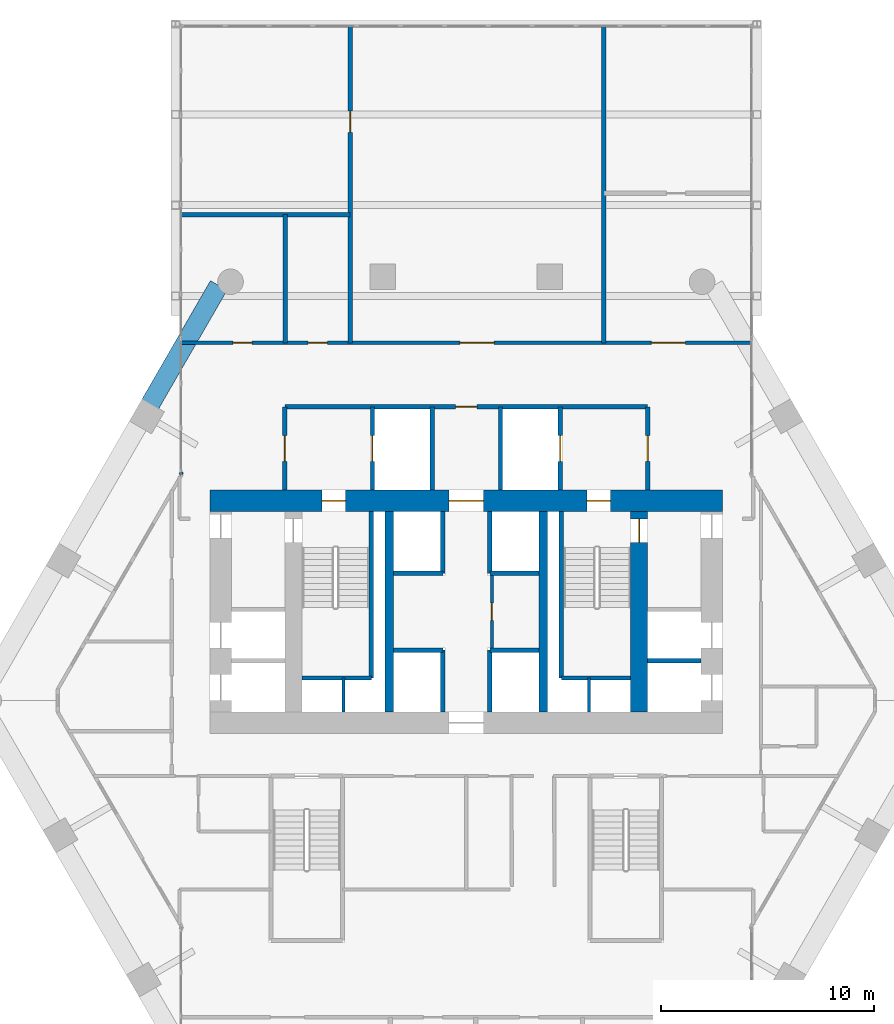
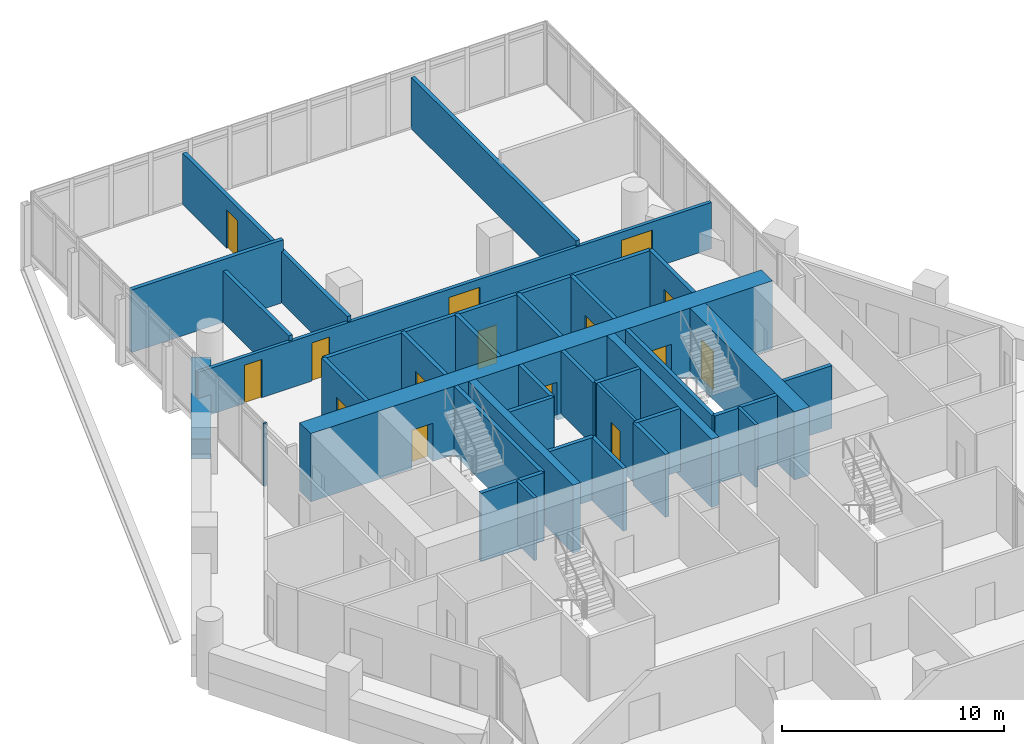
# One storey, part 32 of 37: 34 walls, 15 doors, 15 openings.
"""IFC4 building model written with IfcOpenShell, lengths in metres."""

from ifc_helpers import new_model, si_unit, direction, frame, frame_2d, origin, place, context, subcontext, project, spatial, rectangle, extrude, material, layer, layer_set, type_object, element, fill, save


model = new_model("IFC4")

# Units and contexts
model_context = context("Model", 3, precision=1e-05, world=origin(), true_north=direction((0.0, 1.0)))
body_context = subcontext(model_context, "Body", "Model", "MODEL_VIEW")
ifc_project = project(units=[si_unit("LENGTHUNIT", "METRE"), si_unit("AREAUNIT", "SQUARE_METRE"), si_unit("VOLUMEUNIT", "CUBIC_METRE"), si_unit("PLANEANGLEUNIT", "RADIAN"), si_unit("MASSUNIT", "GRAM", prefix="KILO")], contexts=[model_context])

# Site, building, storey
site_placement = place(None, origin())
site = spatial("IfcSite", under=ifc_project, at=site_placement, CompositionType="ELEMENT")
building_placement = place(site_placement, origin())
building = spatial("IfcBuilding", under=site, at=building_placement, Name="Ostrander Bayou Hotel Tower", CompositionType="ELEMENT")
storey_placement = place(building_placement, frame((0.0, 0.0, 93.0)))
storey = spatial("IfcBuildingStorey", under=building, at=storey_placement, Name="L23", CompositionType="ELEMENT", Elevation=93.0)

# Wall, openings, doors
ifc_material_1 = material(Name="Concrete f'c 70 MPa", Category="concrete")
ifc_layer_1 = layer(ifc_material_1, 1.0)
ifc_layer_set_1 = layer_set([ifc_layer_1], Name="CW4 core wall 1000 mm f'c 70 MPa")
wall_type_1 = type_object("IfcWallType", Name="CW4 core wall 1000 mm f'c 70 MPa", PredefinedType="SHEAR", material=ifc_layer_set_1)
wall_1_placement = place(storey_placement, frame((-12.0, 9.199951171875, -0.300048828125), z_axis=(0.0, 0.0, 1.0), x_axis=(1.0, 0.0, 0.0)))
wall_1 = element("IfcWall", 1, at=wall_1_placement, inside=storey, type_object=wall_type_1, Name="CW4 L23 N", PredefinedType="SHEAR", context=body_context, shape_type="SweptSolid", body=[
    extrude(rectangle(XDim=24.0, YDim=1.0, at=frame_2d((12.0, 0.0))), origin(), (0.0, 0.0, 1.0), 3.75),
])
opening_1_placement = place(wall_1_placement, frame((11.199951171875, 0.0, 0.0)))
opening_1 = element("IfcOpeningElement", 2, at=opening_1_placement, cuts=wall_1, Name="Opening T23-002", PredefinedType="OPENING", context=body_context, shape_type="SweptSolid", body=[
    extrude(rectangle(XDim=1.60009765625, YDim=2.10009765625, at=frame_2d((0.800048828125, 1.050048828125))), frame((0.0, 0.5, 0.0), z_axis=(0.0, -1.0, 0.0), x_axis=(1.0, 0.0, 0.0)), (0.0, 0.0, 1.0), 1.0),
])
opening_2_placement = place(wall_1_placement, frame((5.25, 0.0, 0.0)))
opening_2 = element("IfcOpeningElement", 3, at=opening_2_placement, cuts=wall_1, Name="Opening T23-003", PredefinedType="OPENING", context=body_context, shape_type="SweptSolid", body=[
    extrude(rectangle(XDim=1.10009765625, YDim=2.10009765625, at=frame_2d((0.550048828125, 1.050048828125))), frame((0.0, 0.5, 0.0), z_axis=(0.0, -1.0, 0.0), x_axis=(1.0, 0.0, 0.0)), (0.0, 0.0, 1.0), 1.0),
])
opening_3_placement = place(wall_1_placement, frame((17.64990234375, 0.0, 0.0)))
opening_3 = element("IfcOpeningElement", 4, at=opening_3_placement, cuts=wall_1, Name="Opening T23-005", PredefinedType="OPENING", context=body_context, shape_type="SweptSolid", body=[
    extrude(rectangle(XDim=1.10009765625, YDim=2.10009765625, at=frame_2d((0.550048828125, 1.050048828125))), frame((0.0, 0.5, 0.0), z_axis=(0.0, -1.0, 0.0), x_axis=(1.0, 0.0, 0.0)), (0.0, 0.0, 1.0), 1.0),
])
ifc_material_2 = material(Name="Timber door leaf", Category="wood")
door_type_1 = type_object("IfcDoorType", Name="D13 double door 1600 x 2100 mm, 1 hour", OperationType="SINGLE_SWING_LEFT", PredefinedType="DOOR", material=ifc_material_2)
door_1_placement = place(opening_1_placement, origin())
door_1 = element("IfcDoor", 5, at=door_1_placement, inside=storey, type_object=door_type_1, Name="dr:L23:002", OperationType="DOUBLE_DOOR_SINGLE_SWING", OverallHeight=2.10009765625, OverallWidth=1.60009765625, PredefinedType="DOOR", context=body_context, shape_type="SweptSolid", body=[
    extrude(rectangle(XDim=1.60009765625, YDim=2.10009765625, at=frame_2d((0.800048828125, 1.050048828125))), frame((0.0, 0.02490234375, 0.0), z_axis=(0.0, -1.0, 0.0), x_axis=(1.0, 0.0, 0.0)), (0.0, 0.0, 1.0), 0.050048828125),
])
fill(opening_1, door_1)
ifc_material_3 = material(Name="Timber door leaf", Category="wood")
door_type_2 = type_object("IfcDoorType", Name="D5 stair door 1100 x 2100 mm, 90 minute", OperationType="SINGLE_SWING_LEFT", PredefinedType="DOOR", material=ifc_material_3)
door_2_placement = place(opening_2_placement, origin())
door_2 = element("IfcDoor", 6, at=door_2_placement, inside=storey, type_object=door_type_2, Name="dr:L23:003", OperationType="SINGLE_SWING_LEFT", OverallHeight=2.10009765625, OverallWidth=1.10009765625, PredefinedType="DOOR", context=body_context, shape_type="SweptSolid", body=[
    extrude(rectangle(XDim=1.10009765625, YDim=2.10009765625, at=frame_2d((0.550048828125, 1.050048828125))), frame((0.0, 0.02490234375, 0.0), z_axis=(0.0, -1.0, 0.0), x_axis=(1.0, 0.0, 0.0)), (0.0, 0.0, 1.0), 0.050048828125),
])
fill(opening_2, door_2)
door_3_placement = place(opening_3_placement, origin())
door_3 = element("IfcDoor", 7, at=door_3_placement, inside=storey, type_object=door_type_2, Name="dr:L23:005", OperationType="SINGLE_SWING_RIGHT", OverallHeight=2.10009765625, OverallWidth=1.10009765625, PredefinedType="DOOR", context=body_context, shape_type="SweptSolid", body=[
    extrude(rectangle(XDim=1.10009765625, YDim=2.10009765625, at=frame_2d((0.550048828125, 1.050048828125))), frame((0.0, 0.02490234375, 0.0), z_axis=(0.0, -1.0, 0.0), x_axis=(1.0, 0.0, 0.0)), (0.0, 0.0, 1.0), 0.050048828125),
])
fill(opening_3, door_3)

# Wall, opening, door
ifc_material_4 = material(Name="Concrete f'c 70 MPa", Category="concrete")
ifc_layer_2 = layer(ifc_material_4, 0.800048828125)
ifc_layer_set_2 = layer_set([ifc_layer_2], Name="CW5 core spine wall 800 mm f'c 70 MPa")
wall_type_2 = type_object("IfcWallType", Name="CW5 core spine wall 800 mm f'c 70 MPa", PredefinedType="SHEAR", material=ifc_layer_set_2)
wall_2_placement = place(storey_placement, frame((8.10009765625, -0.699951171875, -0.300048828125), z_axis=(0.0, 0.0, 1.0), x_axis=(0.0, 1.0, 0.0)))
wall_2 = element("IfcWall", 8, at=wall_2_placement, inside=storey, type_object=wall_type_2, Name="CW5 L23 E", PredefinedType="SHEAR", context=body_context, shape_type="SweptSolid", body=[
    extrude(rectangle(XDim=9.39990234375, YDim=0.800048828125, at=frame_2d((4.699951171875, 0.0))), origin(), (0.0, 0.0, 1.0), 3.75),
])
opening_4_placement = place(wall_2_placement, frame((7.949951171875, 0.0, 0.0)))
opening_4 = element("IfcOpeningElement", 9, at=opening_4_placement, cuts=wall_2, Name="Opening T23-006", PredefinedType="OPENING", context=body_context, shape_type="SweptSolid", body=[
    extrude(rectangle(XDim=1.10009765625, YDim=2.10009765625, at=frame_2d((0.550048828125, 1.050048828125))), frame((0.0, 0.39990234375, 0.0), z_axis=(0.0, -1.0, 0.0), x_axis=(1.0, 0.0, 0.0)), (0.0, 0.0, 1.0), 0.800048828125),
])
door_4_placement = place(opening_4_placement, origin())
door_4 = element("IfcDoor", 10, at=door_4_placement, inside=storey, type_object=door_type_2, Name="dr:L23:006", OperationType="SINGLE_SWING_LEFT", OverallHeight=2.10009765625, OverallWidth=1.10009765625, PredefinedType="DOOR", context=body_context, shape_type="SweptSolid", body=[
    extrude(rectangle(XDim=1.10009765625, YDim=2.10009765625, at=frame_2d((0.550048828125, 1.050048828125))), frame((0.0, 0.02490234375, 0.0), z_axis=(0.0, -1.0, 0.0), x_axis=(1.0, 0.0, 0.0)), (0.0, 0.0, 1.0), 0.050048828125),
])
fill(opening_4, door_4)

# Walls
ifc_material_5 = material(Name="Concrete f'c 70 MPa", Category="concrete")
ifc_layer_3 = layer(ifc_material_5, 0.39990234375)
ifc_layer_set_3 = layer_set([ifc_layer_3], Name="CW6 core bank wall 400 mm f'c 70 MPa")
wall_type_3 = type_object("IfcWallType", Name="CW6 core bank wall 400 mm f'c 70 MPa", PredefinedType="SHEAR", material=ifc_layer_set_3)
for number, where, z_axis, x_axis, name in (
    (11, (-3.60009765625, -0.699951171875, -0.300048828125), (0.0, 0.0, 1.0), (0.0, 1.0, 0.0), "CW6 L23 CW"),
    (12, (3.60009765625, -0.699951171875, -0.300048828125), (0.0, 0.0, 1.0), (0.0, 1.0, 0.0), "CW6 L23 CE"),
):
    element("IfcWall", number, at=place(storey_placement, frame(where, z_axis=z_axis, x_axis=x_axis)), inside=storey, type_object=wall_type_3, Name=name, PredefinedType="SHEAR", context=body_context, shape_type="SweptSolid", body=[
        extrude(rectangle(XDim=9.39990234375, YDim=0.39990234375, at=frame_2d((4.699951171875, 0.0))), origin(), (0.0, 0.0, 1.0), 3.75),
    ])
ifc_material_6 = material(Name="Aluminium framed insulated wall", Category="aluminium")
ifc_layer_4 = layer(ifc_material_6, 0.14990234375)
ifc_layer_set_4 = layer_set([ifc_layer_4], Name="GW1 glass-line wall 150 mm")
wall_type_4 = type_object("IfcWallType", Name="GW1 glass-line wall 150 mm", PredefinedType="SOLIDWALL", material=ifc_layer_set_4)
wall_3_placement = place(storey_placement, frame((-13.333984375, 10.427490234375, 0.0), z_axis=(0.0, 0.0, 1.0), x_axis=(-0.337751931921, 0.941235163221, 0.0)))
element("IfcWall", 13, at=wall_3_placement, inside=storey, type_object=wall_type_4, Name="GW1 L23 bar joint 1", PredefinedType="SOLIDWALL", context=body_context, shape_type="SweptSolid", body=[
    extrude(rectangle(XDim=0.098388671875, YDim=0.14990234375, at=frame_2d((0.04931640625, 0.0))), origin(), (0.0, 0.0, 1.0), 3.449951171875),
])
ifc_material_7 = material(Name="Concrete f'c 40 MPa", Category="concrete")
ifc_layer_5 = layer(ifc_material_7, 0.89990234375)
ifc_layer_set_5 = layer_set([ifc_layer_5], Name="PA1 stone-faced parapet 900 mm")
wall_type_5 = type_object("IfcWallType", Name="PA1 stone-faced parapet 900 mm", PredefinedType="PARAPET", material=ifc_layer_set_5)
wall_4_placement = place(storey_placement, frame((-11.5966796875, 19.286376953125, 0.0), z_axis=(0.0, 0.0, 1.0), x_axis=(-0.50002823779, -0.866009100075, 0.0)))
element("IfcWall", 14, at=wall_4_placement, inside=storey, type_object=wall_type_5, Name="PA1 L23 NW-1", PredefinedType="PARAPET", context=body_context, shape_type="SweptSolid", body=[
    extrude(rectangle(XDim=6.427490234375, YDim=0.89990234375, at=frame_2d((3.2138671875, 0.0))), origin(), (0.0, 0.0, 1.0), 1.10009765625),
])
ifc_material_8 = material(Name="Gypsum board partition", Category="finish")
ifc_layer_6 = layer(ifc_material_8, 0.199951171875)
ifc_layer_set_6 = layer_set([ifc_layer_6], Name="PT3 demising wall 200 mm acoustic double stud, 1 hour")
wall_type_6 = type_object("IfcWallType", Name="PT3 demising wall 200 mm acoustic double stud, 1 hour", PredefinedType="PARTITIONING", material=ifc_layer_set_6)
wall_5_placement = place(storey_placement, frame((-13.34814453125, 22.60009765625, 0.0), z_axis=(0.0, 0.0, 1.0), x_axis=(1.0, 0.0, 0.0)))
element("IfcWall", 15, at=wall_5_placement, inside=storey, type_object=wall_type_6, Name="sw:L23:503", PredefinedType="PARTITIONING", context=body_context, shape_type="SweptSolid", body=[
    extrude(rectangle(XDim=7.906005859375, YDim=0.199951171875, at=frame_2d((3.953125, 0.0))), origin(), (0.0, 0.0, 1.0), 3.449951171875),
])
wall_6_placement = place(storey_placement, frame((-8.48193359375, 16.60009765625, 0.0), z_axis=(0.0, 0.0, 1.0), x_axis=(0.0, 1.0, 0.0)))
element("IfcWall", 16, at=wall_6_placement, inside=storey, type_object=wall_type_6, Name="sw:L23:505", PredefinedType="PARTITIONING", context=body_context, shape_type="SweptSolid", body=[
    extrude(rectangle(XDim=6.0, YDim=0.199951171875, at=frame_2d((3.0, 0.0))), origin(), (0.0, 0.0, 1.0), 2.828125),
])

# Wall, opening, door
wall_7_placement = place(storey_placement, frame((-5.44189453125, 16.60009765625, 0.0), z_axis=(0.0, 0.0, 1.0), x_axis=(0.0, 1.0, 0.0)))
wall_7 = element("IfcWall", 17, at=wall_7_placement, inside=storey, type_object=wall_type_6, Name="sw:L23:506", PredefinedType="PARTITIONING", context=body_context, shape_type="SweptSolid", body=[
    extrude(rectangle(XDim=14.826416015625, YDim=0.199951171875, at=frame_2d((7.4130859375, 0.0))), origin(), (0.0, 0.0, 1.0), 2.828125),
])
opening_5_placement = place(wall_7_placement, frame((9.857666015625, 0.0, 0.0)))
opening_5 = element("IfcOpeningElement", 18, at=opening_5_placement, cuts=wall_7, Name="Opening T23-1207", PredefinedType="OPENING", context=body_context, shape_type="SweptSolid", body=[
    extrude(rectangle(XDim=1.0, YDim=2.10009765625, at=frame_2d((0.5, 1.050048828125))), frame((0.0, 0.10009765625, 0.0), z_axis=(0.0, -1.0, 0.0), x_axis=(1.0, 0.0, 0.0)), (0.0, 0.0, 1.0), 0.199951171875),
])
ifc_material_9 = material(Name="Timber door leaf", Category="wood")
door_type_3 = type_object("IfcDoorType", Name="D9 service door 1000 x 2100 mm, 30 minute", OperationType="SINGLE_SWING_LEFT", PredefinedType="DOOR", material=ifc_material_9)
door_5_placement = place(opening_5_placement, origin())
door_5 = element("IfcDoor", 19, at=door_5_placement, inside=storey, type_object=door_type_3, Name="dr:L23:1207", OperationType="SINGLE_SWING_LEFT", OverallHeight=2.10009765625, OverallWidth=1.0, PredefinedType="DOOR", context=body_context, shape_type="SweptSolid", body=[
    extrude(rectangle(XDim=1.0, YDim=2.10009765625, at=frame_2d((0.5, 1.050048828125))), frame((0.0, 0.02490234375, 0.0), z_axis=(0.0, -1.0, 0.0), x_axis=(1.0, 0.0, 0.0)), (0.0, 0.0, 1.0), 0.050048828125),
])
fill(opening_5, door_5)

# Wall
wall_8_placement = place(storey_placement, frame((6.44189453125, 16.60009765625, 0.0), z_axis=(0.0, 0.0, 1.0), x_axis=(0.0, 1.0, 0.0)))
element("IfcWall", 20, at=wall_8_placement, inside=storey, type_object=wall_type_6, Name="sw:L23:510", PredefinedType="PARTITIONING", context=body_context, shape_type="SweptSolid", body=[
    extrude(rectangle(XDim=14.826416015625, YDim=0.199951171875, at=frame_2d((7.4130859375, 0.0))), origin(), (0.0, 0.0, 1.0), 2.828125),
])

# Wall, openings, doors
ifc_material_10 = material(Name="Gypsum board partition", Category="finish")
ifc_layer_7 = layer(ifc_material_10, 0.175048828125)
ifc_layer_set_7 = layer_set([ifc_layer_7], Name="PT4 corridor wall 175 mm, 1 hour")
wall_type_7 = type_object("IfcWallType", Name="PT4 corridor wall 175 mm, 1 hour", PredefinedType="PARTITIONING", material=ifc_layer_set_7)
wall_9_placement = place(storey_placement, frame((-13.34814453125, 16.60009765625, 0.0), z_axis=(0.0, 0.0, 1.0), x_axis=(1.0, 0.0, 0.0)))
wall_9 = element("IfcWall", 21, at=wall_9_placement, inside=storey, type_object=wall_type_7, Name="sw:L23:501", PredefinedType="PARTITIONING", context=body_context, shape_type="SweptSolid", body=[
    extrude(rectangle(XDim=26.6962890625, YDim=0.175048828125, at=frame_2d((13.34814453125, 0.0))), origin(), (0.0, 0.0, 1.0), 2.550048828125),
])
opening_6_placement = place(wall_9_placement, frame((22.01416015625, 0.0, 0.0)))
opening_6 = element("IfcOpeningElement", 22, at=opening_6_placement, cuts=wall_9, Name="Opening T23-1205", PredefinedType="OPENING", context=body_context, shape_type="SweptSolid", body=[
    extrude(rectangle(XDim=1.60009765625, YDim=2.10009765625, at=frame_2d((0.800048828125, 1.050048828125))), frame((0.0, 0.08740234375, 0.0), z_axis=(0.0, -1.0, 0.0), x_axis=(1.0, 0.0, 0.0)), (0.0, 0.0, 1.0), 0.175048828125),
])
opening_7_placement = place(wall_9_placement, frame((2.412353515625, 0.0, 0.0)))
opening_7 = element("IfcOpeningElement", 23, at=opening_7_placement, cuts=wall_9, Name="Opening T23-1208", PredefinedType="OPENING", context=body_context, shape_type="SweptSolid", body=[
    extrude(rectangle(XDim=0.89990234375, YDim=2.10009765625, at=frame_2d((0.449951171875, 1.050048828125))), frame((0.0, 0.08740234375, 0.0), z_axis=(0.0, -1.0, 0.0), x_axis=(1.0, 0.0, 0.0)), (0.0, 0.0, 1.0), 0.175048828125),
])
opening_8_placement = place(wall_9_placement, frame((5.93603515625, 0.0, 0.0)))
opening_8 = element("IfcOpeningElement", 24, at=opening_8_placement, cuts=wall_9, Name="Opening T23-1209", PredefinedType="OPENING", context=body_context, shape_type="SweptSolid", body=[
    extrude(rectangle(XDim=0.89990234375, YDim=2.10009765625, at=frame_2d((0.449951171875, 1.050048828125))), frame((0.0, 0.08740234375, 0.0), z_axis=(0.0, -1.0, 0.0), x_axis=(1.0, 0.0, 0.0)), (0.0, 0.0, 1.0), 0.175048828125),
])
opening_9_placement = place(wall_9_placement, frame((13.048095703125, 0.0, 0.0)))
opening_9 = element("IfcOpeningElement", 25, at=opening_9_placement, cuts=wall_9, Name="Opening T23-1210", PredefinedType="OPENING", context=body_context, shape_type="SweptSolid", body=[
    extrude(rectangle(XDim=1.60009765625, YDim=2.10009765625, at=frame_2d((0.800048828125, 1.050048828125))), frame((0.0, 0.08740234375, 0.0), z_axis=(0.0, -1.0, 0.0), x_axis=(1.0, 0.0, 0.0)), (0.0, 0.0, 1.0), 0.175048828125),
])
door_6_placement = place(opening_6_placement, origin())
door_6 = element("IfcDoor", 26, at=door_6_placement, inside=storey, type_object=door_type_1, Name="dr:L23:1205", OperationType="DOUBLE_DOOR_SINGLE_SWING", OverallHeight=2.10009765625, OverallWidth=1.60009765625, PredefinedType="DOOR", context=body_context, shape_type="SweptSolid", body=[
    extrude(rectangle(XDim=1.60009765625, YDim=2.10009765625, at=frame_2d((0.800048828125, 1.050048828125))), frame((0.0, 0.02490234375, 0.0), z_axis=(0.0, -1.0, 0.0), x_axis=(1.0, 0.0, 0.0)), (0.0, 0.0, 1.0), 0.050048828125),
])
fill(opening_6, door_6)
door_7_placement = place(opening_9_placement, origin())
door_7 = element("IfcDoor", 27, at=door_7_placement, inside=storey, type_object=door_type_1, Name="dr:L23:1210", OperationType="DOUBLE_DOOR_SINGLE_SWING", OverallHeight=2.10009765625, OverallWidth=1.60009765625, PredefinedType="DOOR", context=body_context, shape_type="SweptSolid", body=[
    extrude(rectangle(XDim=1.60009765625, YDim=2.10009765625, at=frame_2d((0.800048828125, 1.050048828125))), frame((0.0, 0.02490234375, 0.0), z_axis=(0.0, -1.0, 0.0), x_axis=(1.0, 0.0, 0.0)), (0.0, 0.0, 1.0), 0.050048828125),
])
fill(opening_9, door_7)
ifc_material_11 = material(Name="Timber door leaf", Category="wood")
door_type_4 = type_object("IfcDoorType", Name="D8 room door 900 x 2100 mm", OperationType="SINGLE_SWING_LEFT", PredefinedType="DOOR", material=ifc_material_11)
door_8_placement = place(opening_7_placement, origin())
door_8 = element("IfcDoor", 28, at=door_8_placement, inside=storey, type_object=door_type_4, Name="dr:L23:1208", OperationType="SINGLE_SWING_RIGHT", OverallHeight=2.10009765625, OverallWidth=0.89990234375, PredefinedType="DOOR", context=body_context, shape_type="SweptSolid", body=[
    extrude(rectangle(XDim=0.89990234375, YDim=2.10009765625, at=frame_2d((0.449951171875, 1.050048828125))), frame((0.0, 0.02490234375, 0.0), z_axis=(0.0, -1.0, 0.0), x_axis=(1.0, 0.0, 0.0)), (0.0, 0.0, 1.0), 0.050048828125),
])
fill(opening_7, door_8)
door_9_placement = place(opening_8_placement, origin())
door_9 = element("IfcDoor", 29, at=door_9_placement, inside=storey, type_object=door_type_4, Name="dr:L23:1209", OperationType="SINGLE_SWING_LEFT", OverallHeight=2.10009765625, OverallWidth=0.89990234375, PredefinedType="DOOR", context=body_context, shape_type="SweptSolid", body=[
    extrude(rectangle(XDim=0.89990234375, YDim=2.10009765625, at=frame_2d((0.449951171875, 1.050048828125))), frame((0.0, 0.02490234375, 0.0), z_axis=(0.0, -1.0, 0.0), x_axis=(1.0, 0.0, 0.0)), (0.0, 0.0, 1.0), 0.050048828125),
])
fill(opening_8, door_9)

# Wall, opening, door
ifc_material_12 = material(Name="Masonry block", Category="masonry")
ifc_layer_8 = layer(ifc_material_12, 0.199951171875)
ifc_layer_set_8 = layer_set([ifc_layer_8], Name="PT5 stair enclosure wall 200 mm masonry, 2 hour")
wall_type_8 = type_object("IfcWallType", Name="PT5 stair enclosure wall 200 mm masonry, 2 hour", PredefinedType="PARTITIONING", material=ifc_layer_set_8)
wall_10_placement = place(storey_placement, frame((-8.5, 13.60009765625, 0.0), z_axis=(0.0, 0.0, 1.0), x_axis=(1.0, 0.0, 0.0)))
wall_10 = element("IfcWall", 30, at=wall_10_placement, inside=storey, type_object=wall_type_8, Name="cs:L23:023", PredefinedType="PARTITIONING", context=body_context, shape_type="SweptSolid", body=[
    extrude(rectangle(XDim=17.0, YDim=0.199951171875, at=frame_2d((8.5, 0.0))), origin(), (0.0, 0.0, 1.0), 3.449951171875),
])
opening_10_placement = place(wall_10_placement, frame((8.0, 0.0, 0.0)))
opening_10 = element("IfcOpeningElement", 31, at=opening_10_placement, cuts=wall_10, Name="Opening T23-013", PredefinedType="OPENING", context=body_context, shape_type="SweptSolid", body=[
    extrude(rectangle(XDim=1.0, YDim=2.10009765625, at=frame_2d((0.5, 1.050048828125))), frame((0.0, 0.10009765625, 0.0), z_axis=(0.0, -1.0, 0.0), x_axis=(1.0, 0.0, 0.0)), (0.0, 0.0, 1.0), 0.199951171875),
])
door_10_placement = place(opening_10_placement, origin())
door_10 = element("IfcDoor", 32, at=door_10_placement, inside=storey, type_object=door_type_3, Name="dr:L23:013", OperationType="SINGLE_SWING_LEFT", OverallHeight=2.10009765625, OverallWidth=1.0, PredefinedType="DOOR", context=body_context, shape_type="SweptSolid", body=[
    extrude(rectangle(XDim=1.0, YDim=2.10009765625, at=frame_2d((0.5, 1.050048828125))), frame((0.0, 0.02490234375, 0.0), z_axis=(0.0, -1.0, 0.0), x_axis=(1.0, 0.0, 0.0)), (0.0, 0.0, 1.0), 0.050048828125),
])
fill(opening_10, door_10)

wall_11_placement = place(storey_placement, frame((-8.5, 9.699951171875, 0.0), z_axis=(0.0, 0.0, 1.0), x_axis=(0.0, 1.0, 0.0)))
wall_11 = element("IfcWall", 33, at=wall_11_placement, inside=storey, type_object=wall_type_8, Name="cs:L23:024", PredefinedType="PARTITIONING", context=body_context, shape_type="SweptSolid", body=[
    extrude(rectangle(XDim=3.900146484375, YDim=0.199951171875, at=frame_2d((1.9501953125, 0.0))), origin(), (0.0, 0.0, 1.0), 3.449951171875),
])
opening_11_placement = place(wall_11_placement, frame((1.35009765625, 0.0, 0.0)))
opening_11 = element("IfcOpeningElement", 34, at=opening_11_placement, cuts=wall_11, Name="Opening T23-010", PredefinedType="OPENING", context=body_context, shape_type="SweptSolid", body=[
    extrude(rectangle(XDim=1.199951171875, YDim=2.10009765625, at=frame_2d((0.60009765625, 1.050048828125))), frame((0.0, 0.10009765625, 0.0), z_axis=(0.0, -1.0, 0.0), x_axis=(1.0, 0.0, 0.0)), (0.0, 0.0, 1.0), 0.199951171875),
])
ifc_material_13 = material(Name="Timber door leaf", Category="wood")
door_type_5 = type_object("IfcDoorType", Name="D7 lobby door 1200 x 2100 mm, 1 hour", OperationType="SINGLE_SWING_LEFT", PredefinedType="DOOR", material=ifc_material_13)
door_11_placement = place(opening_11_placement, origin())
door_11 = element("IfcDoor", 35, at=door_11_placement, inside=storey, type_object=door_type_5, Name="dr:L23:010", OperationType="SINGLE_SWING_LEFT", OverallHeight=2.10009765625, OverallWidth=1.199951171875, PredefinedType="DOOR", context=body_context, shape_type="SweptSolid", body=[
    extrude(rectangle(XDim=1.199951171875, YDim=2.10009765625, at=frame_2d((0.60009765625, 1.050048828125))), frame((0.0, 0.02490234375, 0.0), z_axis=(0.0, -1.0, 0.0), x_axis=(1.0, 0.0, 0.0)), (0.0, 0.0, 1.0), 0.050048828125),
])
fill(opening_11, door_11)

wall_12_placement = place(storey_placement, frame((8.5, 9.699951171875, 0.0), z_axis=(0.0, 0.0, 1.0), x_axis=(0.0, 1.0, 0.0)))
wall_12 = element("IfcWall", 36, at=wall_12_placement, inside=storey, type_object=wall_type_8, Name="cs:L23:025", PredefinedType="PARTITIONING", context=body_context, shape_type="SweptSolid", body=[
    extrude(rectangle(XDim=3.900146484375, YDim=0.199951171875, at=frame_2d((1.9501953125, 0.0))), origin(), (0.0, 0.0, 1.0), 3.449951171875),
])
opening_12_placement = place(wall_12_placement, frame((1.35009765625, 0.0, 0.0)))
opening_12 = element("IfcOpeningElement", 37, at=opening_12_placement, cuts=wall_12, Name="Opening T23-012", PredefinedType="OPENING", context=body_context, shape_type="SweptSolid", body=[
    extrude(rectangle(XDim=1.199951171875, YDim=2.10009765625, at=frame_2d((0.60009765625, 1.050048828125))), frame((0.0, 0.10009765625, 0.0), z_axis=(0.0, -1.0, 0.0), x_axis=(1.0, 0.0, 0.0)), (0.0, 0.0, 1.0), 0.199951171875),
])
door_12_placement = place(opening_12_placement, origin())
door_12 = element("IfcDoor", 38, at=door_12_placement, inside=storey, type_object=door_type_5, Name="dr:L23:012", OperationType="SINGLE_SWING_LEFT", OverallHeight=2.10009765625, OverallWidth=1.199951171875, PredefinedType="DOOR", context=body_context, shape_type="SweptSolid", body=[
    extrude(rectangle(XDim=1.199951171875, YDim=2.10009765625, at=frame_2d((0.60009765625, 1.050048828125))), frame((0.0, 0.02490234375, 0.0), z_axis=(0.0, -1.0, 0.0), x_axis=(1.0, 0.0, 0.0)), (0.0, 0.0, 1.0), 0.050048828125),
])
fill(opening_12, door_12)

wall_13_placement = place(storey_placement, frame((-4.39990234375, 9.699951171875, 0.0), z_axis=(0.0, 0.0, 1.0), x_axis=(0.0, 1.0, 0.0)))
wall_13 = element("IfcWall", 39, at=wall_13_placement, inside=storey, type_object=wall_type_8, Name="cs:L23:026", PredefinedType="PARTITIONING", context=body_context, shape_type="SweptSolid", body=[
    extrude(rectangle(XDim=3.900146484375, YDim=0.199951171875, at=frame_2d((1.9501953125, 0.0))), origin(), (0.0, 0.0, 1.0), 3.449951171875),
])
opening_13_placement = place(wall_13_placement, frame((1.35009765625, 0.0, 0.0)))
opening_13 = element("IfcOpeningElement", 40, at=opening_13_placement, cuts=wall_13, Name="Opening T23-009", PredefinedType="OPENING", context=body_context, shape_type="SweptSolid", body=[
    extrude(rectangle(XDim=1.199951171875, YDim=2.10009765625, at=frame_2d((0.60009765625, 1.050048828125))), frame((0.0, 0.10009765625, 0.0), z_axis=(0.0, -1.0, 0.0), x_axis=(1.0, 0.0, 0.0)), (0.0, 0.0, 1.0), 0.199951171875),
])
ifc_material_14 = material(Name="Stainless steel sliding door", Category="steel")
door_type_6 = type_object("IfcDoorType", Name="LD1 lift landing door 1200 x 2100 mm", OperationType="SINGLE_SWING_LEFT", PredefinedType="DOOR", material=ifc_material_14)
door_13_placement = place(opening_13_placement, origin())
door_13 = element("IfcDoor", 41, at=door_13_placement, inside=storey, type_object=door_type_6, Name="dr:L23:009", OperationType="SLIDING_TO_LEFT", OverallHeight=2.10009765625, OverallWidth=1.199951171875, PredefinedType="DOOR", context=body_context, shape_type="SweptSolid", body=[
    extrude(rectangle(XDim=1.199951171875, YDim=2.10009765625, at=frame_2d((0.60009765625, 1.050048828125))), frame((0.0, 0.02490234375, 0.0), z_axis=(0.0, -1.0, 0.0), x_axis=(1.0, 0.0, 0.0)), (0.0, 0.0, 1.0), 0.050048828125),
])
fill(opening_13, door_13)

wall_14_placement = place(storey_placement, frame((4.39990234375, 9.699951171875, 0.0), z_axis=(0.0, 0.0, 1.0), x_axis=(0.0, 1.0, 0.0)))
wall_14 = element("IfcWall", 42, at=wall_14_placement, inside=storey, type_object=wall_type_8, Name="cs:L23:027", PredefinedType="PARTITIONING", context=body_context, shape_type="SweptSolid", body=[
    extrude(rectangle(XDim=3.900146484375, YDim=0.199951171875, at=frame_2d((1.9501953125, 0.0))), origin(), (0.0, 0.0, 1.0), 3.449951171875),
])
opening_14_placement = place(wall_14_placement, frame((1.35009765625, 0.0, 0.0)))
opening_14 = element("IfcOpeningElement", 43, at=opening_14_placement, cuts=wall_14, Name="Opening T23-011", PredefinedType="OPENING", context=body_context, shape_type="SweptSolid", body=[
    extrude(rectangle(XDim=1.199951171875, YDim=2.10009765625, at=frame_2d((0.60009765625, 1.050048828125))), frame((0.0, 0.10009765625, 0.0), z_axis=(0.0, -1.0, 0.0), x_axis=(1.0, 0.0, 0.0)), (0.0, 0.0, 1.0), 0.199951171875),
])
door_14_placement = place(opening_14_placement, origin())
door_14 = element("IfcDoor", 44, at=door_14_placement, inside=storey, type_object=door_type_6, Name="dr:L23:011", OperationType="SLIDING_TO_LEFT", OverallHeight=2.10009765625, OverallWidth=1.199951171875, PredefinedType="DOOR", context=body_context, shape_type="SweptSolid", body=[
    extrude(rectangle(XDim=1.199951171875, YDim=2.10009765625, at=frame_2d((0.60009765625, 1.050048828125))), frame((0.0, 0.02490234375, 0.0), z_axis=(0.0, -1.0, 0.0), x_axis=(1.0, 0.0, 0.0)), (0.0, 0.0, 1.0), 0.050048828125),
])
fill(opening_14, door_14)

# Walls
ifc_material_15 = material(Name="Masonry block", Category="masonry")
ifc_layer_9 = layer(ifc_material_15, 0.199951171875)
ifc_layer_set_9 = layer_set([ifc_layer_9], Name="PT6 lift shaft wall 200 mm masonry, 2 hour")
wall_type_9 = type_object("IfcWallType", Name="PT6 lift shaft wall 200 mm masonry, 2 hour", PredefinedType="PARTITIONING", material=ifc_layer_set_9)
for number, where, z_axis, x_axis, name in (
    (45, (-3.39990234375, 2.199951171875, 0.0), (0.0, 0.0, 1.0), (1.0, 0.0, 0.0), "cs:L23:001"),
    (46, (-3.39990234375, 5.800048828125, 0.0), (0.0, 0.0, 1.0), (1.0, 0.0, 0.0), "cs:L23:002"),
    (47, (1.10009765625, 2.199951171875, 0.0), (0.0, 0.0, 1.0), (1.0, 0.0, 0.0), "cs:L23:003"),
    (48, (1.10009765625, 5.800048828125, 0.0), (0.0, 0.0, 1.0), (1.0, 0.0, 0.0), "cs:L23:004"),
):
    element("IfcWall", number, at=place(storey_placement, frame(where, z_axis=z_axis, x_axis=x_axis)), inside=storey, type_object=wall_type_9, Name=name, PredefinedType="PARTITIONING", context=body_context, shape_type="SweptSolid", body=[
        extrude(rectangle(XDim=2.2998046875, YDim=0.199951171875, at=frame_2d((1.14990234375, 0.0))), origin(), (0.0, 0.0, 1.0), 3.449951171875),
    ])
for number, where, z_axis, x_axis, name in (
    (49, (-1.10009765625, -0.699951171875, 0.0), (0.0, 0.0, 1.0), (0.0, 1.0, 0.0), "cs:L23:005"),
    (50, (1.10009765625, -0.699951171875, 0.0), (0.0, 0.0, 1.0), (0.0, 1.0, 0.0), "cs:L23:006"),
    (51, (-1.10009765625, 5.800048828125, 0.0), (0.0, 0.0, 1.0), (0.0, 1.0, 0.0), "cs:L23:007"),
    (52, (1.10009765625, 5.800048828125, 0.0), (0.0, 0.0, 1.0), (0.0, 1.0, 0.0), "cs:L23:008"),
):
    element("IfcWall", number, at=place(storey_placement, frame(where, z_axis=z_axis, x_axis=x_axis)), inside=storey, type_object=wall_type_9, Name=name, PredefinedType="PARTITIONING", context=body_context, shape_type="SweptSolid", body=[
        extrude(rectangle(XDim=2.89990234375, YDim=0.199951171875, at=frame_2d((1.449951171875, 0.0))), origin(), (0.0, 0.0, 1.0), 3.449951171875),
    ])
for number, where, z_axis, x_axis, name in (
    (53, (-1.60009765625, 9.699951171875, 0.0), (0.0, 0.0, 1.0), (0.0, 1.0, 0.0), "cs:L23:028"),
    (54, (1.60009765625, 9.699951171875, 0.0), (0.0, 0.0, 1.0), (0.0, 1.0, 0.0), "cs:L23:029"),
):
    element("IfcWall", number, at=place(storey_placement, frame(where, z_axis=z_axis, x_axis=x_axis)), inside=storey, type_object=wall_type_9, Name=name, PredefinedType="PARTITIONING", context=body_context, shape_type="SweptSolid", body=[
        extrude(rectangle(XDim=3.900146484375, YDim=0.199951171875, at=frame_2d((1.9501953125, 0.0))), origin(), (0.0, 0.0, 1.0), 3.449951171875),
    ])
wall_15_placement = place(storey_placement, frame((8.5, 1.699951171875, 0.0), z_axis=(0.0, 0.0, 1.0), x_axis=(1.0, 0.0, 0.0)))
element("IfcWall", 55, at=wall_15_placement, inside=storey, type_object=wall_type_9, Name="cs:L23:033", PredefinedType="PARTITIONING", context=body_context, shape_type="SweptSolid", body=[
    extrude(rectangle(XDim=2.5, YDim=0.199951171875, at=frame_2d((1.25, 0.0))), origin(), (0.0, 0.0, 1.0), 3.449951171875),
])
ifc_material_16 = material(Name="Gypsum board partition", Category="finish")
ifc_layer_10 = layer(ifc_material_16, 0.14990234375)
ifc_layer_set_10 = layer_set([ifc_layer_10], Name="PT7 riser wall 150 mm, 2 hour")
wall_type_10 = type_object("IfcWallType", Name="PT7 riser wall 150 mm, 2 hour", PredefinedType="PARTITIONING", material=ifc_layer_set_10)
for number, where, z_axis, x_axis, name in (
    (56, (-5.75, -0.699951171875, 0.0), (0.0, 0.0, 1.0), (0.0, 1.0, 0.0), "cs:L23:011"),
    (57, (5.75, -0.699951171875, 0.0), (0.0, 0.0, 1.0), (0.0, 1.0, 0.0), "cs:L23:014"),
):
    element("IfcWall", number, at=place(storey_placement, frame(where, z_axis=z_axis, x_axis=x_axis)), inside=storey, type_object=wall_type_10, Name=name, PredefinedType="PARTITIONING", context=body_context, shape_type="SweptSolid", body=[
        extrude(rectangle(XDim=1.599853515625, YDim=0.14990234375, at=frame_2d((0.7998046875, 0.0))), origin(), (0.0, 0.0, 1.0), 3.449951171875),
    ])

# Wall, opening, door
wall_16_placement = place(storey_placement, frame((1.199951171875, 2.300048828125, 0.0), z_axis=(0.0, 0.0, 1.0), x_axis=(0.0, 1.0, 0.0)))
wall_16 = element("IfcWall", 58, at=wall_16_placement, inside=storey, type_object=wall_type_10, Name="cs:L23:030", PredefinedType="PARTITIONING", context=body_context, shape_type="SweptSolid", body=[
    extrude(rectangle(XDim=3.39990234375, YDim=0.14990234375, at=frame_2d((1.699951171875, 0.0))), origin(), (0.0, 0.0, 1.0), 3.449951171875),
])
opening_15_placement = place(wall_16_placement, frame((1.300048828125, 0.0, 0.0)))
opening_15 = element("IfcOpeningElement", 59, at=opening_15_placement, cuts=wall_16, Name="Opening T23-014", PredefinedType="OPENING", context=body_context, shape_type="SweptSolid", body=[
    extrude(rectangle(XDim=0.800048828125, YDim=2.10009765625, at=frame_2d((0.39990234375, 1.050048828125))), frame((0.0, 0.074951171875, 0.0), z_axis=(0.0, -1.0, 0.0), x_axis=(1.0, 0.0, 0.0)), (0.0, 0.0, 1.0), 0.14990234375),
])
ifc_material_17 = material(Name="Timber door leaf", Category="wood")
door_type_7 = type_object("IfcDoorType", Name="D6 riser door 800 x 2100 mm, 90 minute", OperationType="SINGLE_SWING_LEFT", PredefinedType="DOOR", material=ifc_material_17)
door_15_placement = place(opening_15_placement, origin())
door_15 = element("IfcDoor", 60, at=door_15_placement, inside=storey, type_object=door_type_7, Name="dr:L23:014", OperationType="SINGLE_SWING_RIGHT", OverallHeight=2.10009765625, OverallWidth=0.800048828125, PredefinedType="DOOR", context=body_context, shape_type="SweptSolid", body=[
    extrude(rectangle(XDim=0.800048828125, YDim=2.10009765625, at=frame_2d((0.39990234375, 1.050048828125))), frame((0.0, 0.02490234375, 0.0), z_axis=(0.0, -1.0, 0.0), x_axis=(1.0, 0.0, 0.0)), (0.0, 0.0, 1.0), 0.050048828125),
])
fill(opening_15, door_15)

# Walls
ifc_material_18 = material(Name="Concrete f'c 45 MPa", Category="concrete")
ifc_layer_11 = layer(ifc_material_18, 0.199951171875)
ifc_layer_set_11 = layer_set([ifc_layer_11], Name="SW5 stair enclosure wall 200 mm f'c 45 MPa")
wall_type_11 = type_object("IfcWallType", Name="SW5 stair enclosure wall 200 mm f'c 45 MPa", PredefinedType="SOLIDWALL", material=ifc_layer_set_11)
wall_17_placement = place(storey_placement, frame((-4.449951171875, 0.89990234375, -0.300048828125), z_axis=(0.0, 0.0, 1.0), x_axis=(0.0, 1.0, 0.0)))
element("IfcWall", 61, at=wall_17_placement, inside=storey, type_object=wall_type_11, Name="cs:L23:009", PredefinedType="SOLIDWALL", context=body_context, shape_type="SweptSolid", body=[
    extrude(rectangle(XDim=7.800048828125, YDim=0.199951171875, at=frame_2d((3.89990234375, 0.0))), origin(), (0.0, 0.0, 1.0), 3.75),
])
wall_18_placement = place(storey_placement, frame((-7.699951171875, 0.89990234375, -0.300048828125), z_axis=(0.0, 0.0, 1.0), x_axis=(1.0, 0.0, 0.0)))
element("IfcWall", 62, at=wall_18_placement, inside=storey, type_object=wall_type_11, Name="cs:L23:010", PredefinedType="SOLIDWALL", context=body_context, shape_type="SweptSolid", body=[
    extrude(rectangle(XDim=3.25, YDim=0.199951171875, at=frame_2d((1.625, 0.0))), origin(), (0.0, 0.0, 1.0), 3.75),
])
wall_19_placement = place(storey_placement, frame((4.449951171875, 0.89990234375, -0.300048828125), z_axis=(0.0, 0.0, 1.0), x_axis=(0.0, 1.0, 0.0)))
element("IfcWall", 63, at=wall_19_placement, inside=storey, type_object=wall_type_11, Name="cs:L23:012", PredefinedType="SOLIDWALL", context=body_context, shape_type="SweptSolid", body=[
    extrude(rectangle(XDim=7.800048828125, YDim=0.199951171875, at=frame_2d((3.89990234375, 0.0))), origin(), (0.0, 0.0, 1.0), 3.75),
])
wall_20_placement = place(storey_placement, frame((4.449951171875, 0.89990234375, -0.300048828125), z_axis=(0.0, 0.0, 1.0), x_axis=(1.0, 0.0, 0.0)))
element("IfcWall", 64, at=wall_20_placement, inside=storey, type_object=wall_type_11, Name="cs:L23:013", PredefinedType="SOLIDWALL", context=body_context, shape_type="SweptSolid", body=[
    extrude(rectangle(XDim=3.25, YDim=0.199951171875, at=frame_2d((1.625, 0.0))), origin(), (0.0, 0.0, 1.0), 3.75),
])

save(model, "model.ifc")
